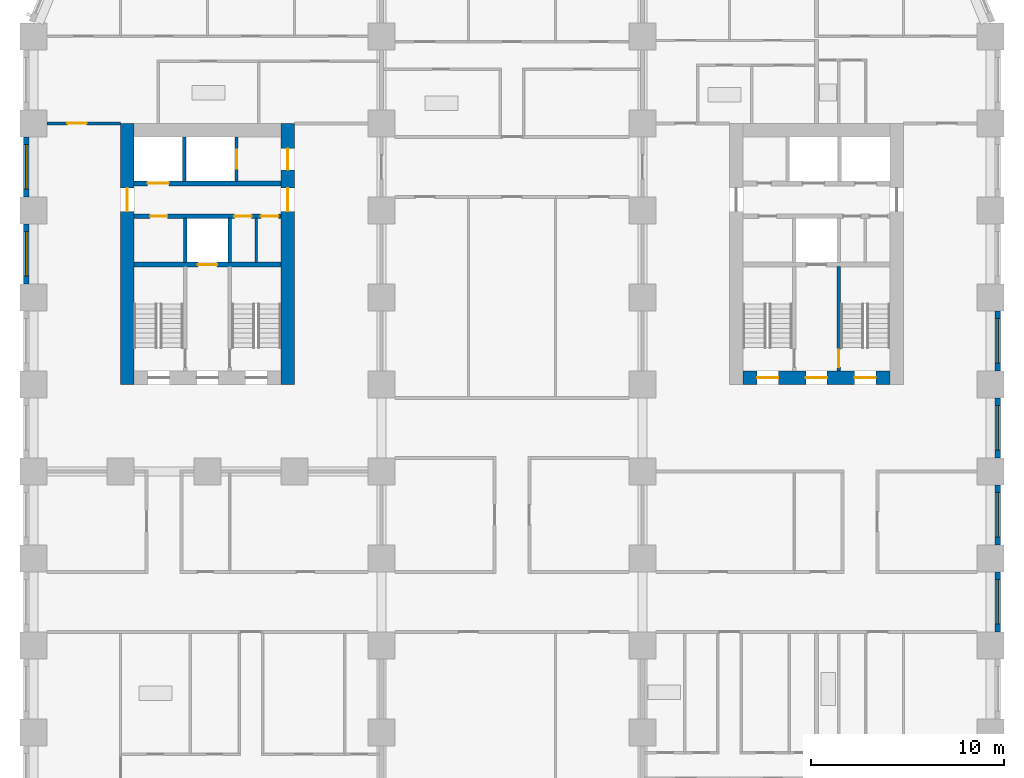
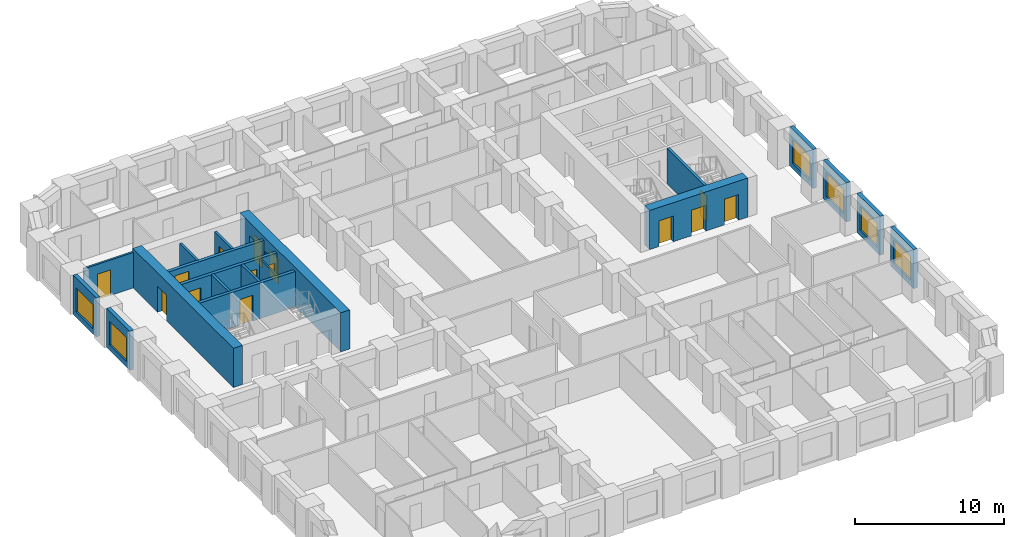
# One storey, part 6 of 13: 19 walls, 14 doors, 6 windows, 20 openings.
"""IFC4 building model written with IfcOpenShell, lengths in metres."""

import ifcopenshell
import ifcopenshell.guid

model = None  # the IFC model being written
_history = None  # IfcOwnerHistory: only IFC2X3 demands one
_inside = {}  # id of a spatial element -> (the spatial element, [elements in it])
_under = {}  # id of a project, library or spatial element -> (it, [spatial elements below it])
_declared = {}  # id of a project -> (the project, [libraries it declares])
_typed = {}  # id of a type object -> (the type object, [elements of that type])
_made_of = {}  # id of a material, layer set ... -> (it, [elements and type objects made of it])


def new_model(schema):
    """Start an empty IFC model of exactly this schema.

    Asked for "IFC4X3", IfcOpenShell would pick the latest addendum, in which some entities
    have other attributes; the version numbers below select the first issue.
    IFC2X3 requires an IfcOwnerHistory on every rooted entity: one is made here for all.
    """
    global model, _history
    if schema == "IFC4X3":
        model = ifcopenshell.file(schema_version=(4, 3, 0, 0))
    else:
        model = ifcopenshell.file(schema=schema)
    _inside.clear()
    _under.clear()
    _declared.clear()
    _typed.clear()
    _made_of.clear()
    _history = None
    if model.schema == "IFC2X3":
        org = make("IfcOrganization", Name="unknown")
        user = make(
            "IfcPersonAndOrganization",
            ThePerson=make("IfcPerson", FamilyName="unknown"),
            TheOrganization=org,
        )
        app = make(
            "IfcApplication",
            ApplicationDeveloper=org,
            Version="unknown",
            ApplicationFullName="unknown",
            ApplicationIdentifier="unknown",
        )
        _history = make(
            "IfcOwnerHistory",
            OwningUser=user,
            OwningApplication=app,
            ChangeAction="ADDED",
            CreationDate=0,
        )
    return model


def make(cls, **values):
    """One entity of the class cls with the attributes given. An attribute that is None is left unset."""
    return model.create_entity(
        cls, **{name: value for name, value in values.items() if value is not None}
    )


def rooted(cls, **values):
    """An entity with a GlobalId (a new one), such as an element, a storey or a relation."""
    return make(cls, GlobalId=ifcopenshell.guid.new(), OwnerHistory=_history, **values)


def si_unit(unit_type, name, prefix=None):
    """IfcSIUnit, for example si_unit("LENGTHUNIT", "METRE", prefix="MILLI")."""
    return make("IfcSIUnit", UnitType=unit_type, Prefix=prefix, Name=name)


def assignment(units):
    """IfcUnitAssignment: the units of a project."""
    return None if units is None else make("IfcUnitAssignment", Units=units)


def point(xyz):
    """IfcCartesianPoint."""
    return None if xyz is None else make("IfcCartesianPoint", Coordinates=xyz)


def direction(xyz):
    """IfcDirection."""
    return None if xyz is None else make("IfcDirection", DirectionRatios=xyz)


def frame(location, z_axis=None, x_axis=None):
    """IfcAxis2Placement3D, a coordinate frame: its origin and axes. An axis left out is left unset."""
    return make(
        "IfcAxis2Placement3D",
        Location=point(location),
        Axis=direction(z_axis),
        RefDirection=direction(x_axis),
    )


def frame_2d(location, x_axis=None):
    """IfcAxis2Placement2D, a coordinate frame in the plane: its origin and x axis."""
    return make(
        "IfcAxis2Placement2D", Location=point(location), RefDirection=direction(x_axis)
    )


def origin():
    """The frame at (0, 0, 0) with its axes left unset."""
    return frame((0.0, 0.0, 0.0))


def place(relative_to, where):
    """IfcLocalPlacement: puts the frame where relative to a parent placement (None: the world)."""
    return make(
        "IfcLocalPlacement", PlacementRelTo=relative_to, RelativePlacement=where
    )


def context(
    kind, dimensions, precision=None, world=None, true_north=None, identifier=None
):
    """IfcGeometricRepresentationContext, for example the 3D "Model" context."""
    return make(
        "IfcGeometricRepresentationContext",
        ContextIdentifier=identifier,
        ContextType=kind,
        CoordinateSpaceDimension=dimensions,
        Precision=precision,
        WorldCoordinateSystem=world,
        TrueNorth=true_north,
    )


def subcontext(parent, identifier, kind, view, scale=None):
    """IfcGeometricRepresentationSubContext, for example "Body" below "Model"."""
    return make(
        "IfcGeometricRepresentationSubContext",
        ContextIdentifier=identifier,
        ContextType=kind,
        ParentContext=parent,
        TargetScale=scale,
        TargetView=view,
    )


def project(units=None, contexts=None):
    """IfcProject with its units and contexts."""
    return rooted(
        "IfcProject",
        Name="project",
        RepresentationContexts=contexts,
        UnitsInContext=assignment(units),
    )


def spatial(cls, under=None, at=None, **own):
    """A site, building, storey or space (cls), placed at a placement, below another one or the project."""
    s = rooted(cls, ObjectPlacement=at, **own)
    if under is not None:
        _under.setdefault(under.id(), (under, []))[1].append(s)
    return s


def profile(cls, at=None, kind="AREA", **sizes):
    """A parametric profile (cls). Its sizes go by their IFC names, for example OverallWidth=200.0."""
    return make(cls, ProfileType=kind, Position=at, **sizes)


def rectangle(**sizes):
    """IfcRectangleProfileDef."""
    return profile("IfcRectangleProfileDef", **sizes)


def extrude(swept, where, along, depth):
    """IfcExtrudedAreaSolid: the profile swept, set in the frame where, extruded along a direction by depth."""
    return make(
        "IfcExtrudedAreaSolid",
        SweptArea=swept,
        Position=where,
        ExtrudedDirection=direction(along),
        Depth=depth,
    )


def shape(context_of_items, identifier, shape_type, items):
    """IfcShapeRepresentation: the items that make up one representation, for example the "Body"."""
    return make(
        "IfcShapeRepresentation",
        ContextOfItems=context_of_items,
        RepresentationIdentifier=identifier,
        RepresentationType=shape_type,
        Items=items,
    )


def material(Name=None, Category=None):
    """IfcMaterial."""
    return make("IfcMaterial", Name=Name, Category=Category)


def layer(
    of_material, thickness, ventilated=None, Name=None, Category=None, Priority=None
):
    """IfcMaterialLayer: one layer of a wall or slab, of a material (None: an air gap)."""
    return make(
        "IfcMaterialLayer",
        Material=of_material,
        LayerThickness=thickness,
        IsVentilated=ventilated,
        Name=Name,
        Category=Category,
        Priority=Priority,
    )


def layer_set(layers, Name=None):
    """IfcMaterialLayerSet."""
    return make("IfcMaterialLayerSet", MaterialLayers=layers, LayerSetName=Name)


def made_of(thing, what):
    """Note that an element or type object is made of a material, layer set ...; save() writes the relation."""
    if what is not None:
        _made_of.setdefault(what.id(), (what, []))[1].append(thing)
    return thing


def type_object(cls, material=None, **own):
    """A type object (cls), such as IfcWallType, which elements share."""
    return made_of(rooted(cls, **own), material)


def element(
    cls,
    number,
    at=None,
    inside=None,
    cuts=None,
    type_object=None,
    material=None,
    context=None,
    identifier="Body",
    shape_type=None,
    held_by="IfcProductDefinitionShape",
    body=None,
    shapes=None,
    **own,
):
    """One element of the class cls, such as IfcWall. Its Tag is "e" and its number.

    at: its placement. inside: the storey or other place that contains it. cuts: it is an
    opening in that element (IfcRelVoidsElement). A single representation is given by context,
    identifier, shape_type and body (its items); several are given by shapes. held_by: the class
    of the entity that holds the representations. save() writes the other relations.
    """
    e = rooted(cls, Tag="e%d" % number, ObjectPlacement=at, **own)
    if body is not None:
        shapes = [shape(context, identifier, shape_type, body)]
    if shapes is not None:
        e.Representation = make(held_by, Representations=shapes)
    if inside is not None:
        _inside.setdefault(inside.id(), (inside, []))[1].append(e)
    if cuts is not None:
        rooted(
            "IfcRelVoidsElement", RelatingBuildingElement=cuts, RelatedOpeningElement=e
        )
    if type_object is not None:
        _typed.setdefault(type_object.id(), (type_object, []))[1].append(e)
    return made_of(e, material)


def fill(opening, filler):
    """IfcRelFillsElement: the door or window that sits in an opening."""
    return rooted(
        "IfcRelFillsElement",
        RelatingOpeningElement=opening,
        RelatedBuildingElement=filler,
    )


def aggregate(whole, parts):
    """IfcRelAggregates: a whole, such as a stair, and the parts it consists of."""
    return rooted("IfcRelAggregates", RelatingObject=whole, RelatedObjects=parts)


def save(model, path):
    """Write the relations noted so far, then the file.

    IfcRelAggregates (storeys below a building ...), IfcRelContainedInSpatialStructure (elements
    in a storey), IfcRelDefinesByType, IfcRelAssociatesMaterial and IfcRelDeclares: one each for
    every whole, place, type object, material and project.
    """
    for whole, parts in _under.values():
        aggregate(whole, parts)
    for where, things in _inside.values():
        rooted(
            "IfcRelContainedInSpatialStructure",
            RelatedElements=things,
            RelatingStructure=where,
        )
    for kind, things in _typed.values():
        rooted("IfcRelDefinesByType", RelatedObjects=things, RelatingType=kind)
    for what, things in _made_of.values():
        rooted("IfcRelAssociatesMaterial", RelatedObjects=things, RelatingMaterial=what)
    for by, libraries in _declared.values():
        rooted("IfcRelDeclares", RelatingContext=by, RelatedDefinitions=libraries)
    model.write(path)


model = new_model("IFC4")

# Units and contexts
model_context = context("Model", 3, precision=1e-05, world=origin(), true_north=direction((0.0, 1.0)))
body_context = subcontext(model_context, "Body", "Model", "MODEL_VIEW")
ifc_project = project(units=[si_unit("LENGTHUNIT", "METRE"), si_unit("AREAUNIT", "SQUARE_METRE"), si_unit("VOLUMEUNIT", "CUBIC_METRE"), si_unit("PLANEANGLEUNIT", "RADIAN"), si_unit("MASSUNIT", "GRAM", prefix="KILO")], contexts=[model_context])

# Site, building, storey
site_placement = place(None, origin())
site = spatial("IfcSite", under=ifc_project, at=site_placement, CompositionType="ELEMENT")
building_placement = place(site_placement, origin())
building = spatial("IfcBuilding", under=site, at=building_placement, Name="Girih Gate Residences", CompositionType="ELEMENT")
storey_placement = place(building_placement, frame((0.0, 0.0, 52.800048828125)))
storey = spatial("IfcBuildingStorey", under=building, at=storey_placement, Name="L13", CompositionType="ELEMENT", Elevation=52.800048828125)

# Wall, opening, door
ifc_material_1 = material(Name="Gypsum board on steel studs", Category="steel")
ifc_layer_1 = layer(ifc_material_1, 0.14990234375)
ifc_layer_set_1 = layer_set([ifc_layer_1], Name="Compartment wall 150 mm")
wall_type_1 = type_object("IfcWallType", Name="Compartment wall 150 mm", PredefinedType="PARTITIONING", material=ifc_layer_set_1)
wall_1_placement = place(storey_placement, frame((0.699951171875, 40.5, 0.0), z_axis=(0.0, 0.0, 1.0), x_axis=(1.0, 0.0, 0.0)))
wall_1 = element("IfcWall", 1, at=wall_1_placement, inside=storey, type_object=wall_type_1, Name="L13 partition", PredefinedType="PARTITIONING", context=body_context, shape_type="SweptSolid", body=[
    extrude(rectangle(XDim=3.800048828125, YDim=0.14990234375, at=frame_2d((1.89990234375, 0.0))), origin(), (0.0, 0.0, 1.0), 2.89990234375),
])
opening_1_placement = place(wall_1_placement, frame((1.050048828125, 0.0, 0.0)))
opening_1 = element("IfcOpeningElement", 2, at=opening_1_placement, cuts=wall_1, Name="Opening A13-016", PredefinedType="OPENING", context=body_context, shape_type="SweptSolid", body=[
    extrude(rectangle(XDim=1.0, YDim=2.10009765625, at=frame_2d((0.5, 1.050048828125))), frame((0.0, 0.0849609375, 0.0), z_axis=(0.0, -1.0, 0.0), x_axis=(1.0, 0.0, 0.0)), (0.0, 0.0, 1.0), 0.169921875),
])
ifc_material_2 = material(Name="Timber, fire-rated core", Category="wood")
door_type_1 = type_object("IfcDoorType", Name="Flat entrance door 1000x2100 FD30S", OperationType="NOTDEFINED", PredefinedType="DOOR", material=ifc_material_2)
door_1_placement = place(opening_1_placement, origin())
door_1 = element("IfcDoor", 3, at=door_1_placement, inside=storey, type_object=door_type_1, Name="Door A13-016", OperationType="SINGLE_SWING_LEFT", OverallHeight=2.10009765625, OverallWidth=1.0, PredefinedType="DOOR", context=body_context, shape_type="SweptSolid", body=[
    extrude(rectangle(XDim=1.0, YDim=2.10009765625, at=frame_2d((0.5, 1.050048828125))), frame((0.0, 0.02490234375, 0.0), z_axis=(0.0, -1.0, 0.0), x_axis=(1.0, 0.0, 0.0)), (0.0, 0.0, 1.0), 0.050048828125),
])
fill(opening_1, door_1)

ifc_material_3 = material(Name="Concrete C60/75", Category="concrete")
ifc_layer_2 = layer(ifc_material_3, 0.699951171875)
ifc_layer_set_2 = layer_set([ifc_layer_2], Name="Core wall RC 700 Concrete C60/75")
wall_type_2 = type_object("IfcWallType", Name="Core wall RC 700 Concrete C60/75", PredefinedType="SOLIDWALL", material=ifc_layer_set_2)
wall_2_placement = place(storey_placement, frame((4.85009765625, 27.0, 0.0), z_axis=(0.0, 0.0, 1.0), x_axis=(0.0, 1.0, 0.0)))
wall_2 = element("IfcWall", 4, at=wall_2_placement, inside=storey, type_object=wall_type_2, Name="Core wall W-W L13", PredefinedType="SOLIDWALL", context=body_context, shape_type="SweptSolid", body=[
    extrude(rectangle(XDim=13.5, YDim=0.699951171875, at=frame_2d((6.75, 0.0))), origin(), (0.0, 0.0, 1.0), 3.199951171875),
])
opening_2_placement = place(wall_2_placement, frame((8.949951171875, 0.0, 0.0)))
opening_2 = element("IfcOpeningElement", 5, at=opening_2_placement, cuts=wall_2, Name="Opening D-L13-W-013", PredefinedType="OPENING", context=body_context, shape_type="SweptSolid", body=[
    extrude(rectangle(XDim=1.199951171875, YDim=2.10009765625, at=frame_2d((0.60009765625, 1.050048828125))), frame((0.0, 0.35986328125, 0.0), z_axis=(0.0, -1.0, 0.0), x_axis=(1.0, 0.0, 0.0)), (0.0, 0.0, 1.0), 0.719970703125),
])
ifc_material_4 = material(Name="Painted steel, fire-resisting", Category="steel")
door_type_2 = type_object("IfcDoorType", Name="Fire door 1200x2100", OperationType="SINGLE_SWING_LEFT", PredefinedType="DOOR", material=ifc_material_4)
door_2_placement = place(opening_2_placement, origin())
door_2 = element("IfcDoor", 6, at=door_2_placement, inside=storey, type_object=door_type_2, Name="L13 W core door ll-w", OperationType="SINGLE_SWING_LEFT", OverallHeight=2.10009765625, OverallWidth=1.199951171875, PredefinedType="DOOR", context=body_context, shape_type="SweptSolid", body=[
    extrude(rectangle(XDim=1.199951171875, YDim=2.10009765625, at=frame_2d((0.60009765625, 1.050048828125))), frame((0.0, 0.02490234375, 0.0), z_axis=(0.0, -1.0, 0.0), x_axis=(1.0, 0.0, 0.0)), (0.0, 0.0, 1.0), 0.050048828125),
])
fill(opening_2, door_2)

# Wall, openings, doors
wall_3_placement = place(storey_placement, frame((13.14990234375, 27.0, 0.0), z_axis=(0.0, 0.0, 1.0), x_axis=(0.0, 1.0, 0.0)))
wall_3 = element("IfcWall", 7, at=wall_3_placement, inside=storey, type_object=wall_type_2, Name="Core wall W-E L13", PredefinedType="SOLIDWALL", context=body_context, shape_type="SweptSolid", body=[
    extrude(rectangle(XDim=13.5, YDim=0.699951171875, at=frame_2d((6.75, 0.0))), origin(), (0.0, 0.0, 1.0), 3.199951171875),
])
opening_3_placement = place(wall_3_placement, frame((11.10009765625, 0.0, 0.0)))
opening_3 = element("IfcOpeningElement", 8, at=opening_3_placement, cuts=wall_3, Name="Opening D-L13-W-012", PredefinedType="OPENING", context=body_context, shape_type="SweptSolid", body=[
    extrude(rectangle(XDim=1.10009765625, YDim=2.10009765625, at=frame_2d((0.550048828125, 1.050048828125))), frame((0.0, 0.35986328125, 0.0), z_axis=(0.0, -1.0, 0.0), x_axis=(1.0, 0.0, 0.0)), (0.0, 0.0, 1.0), 0.719970703125),
])
opening_4_placement = place(wall_3_placement, frame((8.949951171875, 0.0, 0.0)))
opening_4 = element("IfcOpeningElement", 9, at=opening_4_placement, cuts=wall_3, Name="Opening D-L13-W-014", PredefinedType="OPENING", context=body_context, shape_type="SweptSolid", body=[
    extrude(rectangle(XDim=1.199951171875, YDim=2.10009765625, at=frame_2d((0.60009765625, 1.050048828125))), frame((0.0, 0.35986328125, 0.0), z_axis=(0.0, -1.0, 0.0), x_axis=(1.0, 0.0, 0.0)), (0.0, 0.0, 1.0), 0.719970703125),
])
door_type_3 = type_object("IfcDoorType", Name="Fire door 1100x2100", OperationType="SINGLE_SWING_LEFT", PredefinedType="DOOR", material=ifc_material_4)
door_3_placement = place(opening_3_placement, origin())
door_3 = element("IfcDoor", 10, at=door_3_placement, inside=storey, type_object=door_type_3, Name="L13 W core door ffl2-e", OperationType="SINGLE_SWING_LEFT", OverallHeight=2.10009765625, OverallWidth=1.10009765625, PredefinedType="DOOR", context=body_context, shape_type="SweptSolid", body=[
    extrude(rectangle(XDim=1.10009765625, YDim=2.10009765625, at=frame_2d((0.550048828125, 1.050048828125))), frame((0.0, 0.02490234375, 0.0), z_axis=(0.0, -1.0, 0.0), x_axis=(1.0, 0.0, 0.0)), (0.0, 0.0, 1.0), 0.050048828125),
])
fill(opening_3, door_3)
door_4_placement = place(opening_4_placement, origin())
door_4 = element("IfcDoor", 11, at=door_4_placement, inside=storey, type_object=door_type_2, Name="L13 W core door ll-e", OperationType="SINGLE_SWING_LEFT", OverallHeight=2.10009765625, OverallWidth=1.199951171875, PredefinedType="DOOR", context=body_context, shape_type="SweptSolid", body=[
    extrude(rectangle(XDim=1.199951171875, YDim=2.10009765625, at=frame_2d((0.60009765625, 1.050048828125))), frame((0.0, 0.02490234375, 0.0), z_axis=(0.0, -1.0, 0.0), x_axis=(1.0, 0.0, 0.0)), (0.0, 0.0, 1.0), 0.050048828125),
])
fill(opening_4, door_4)

wall_4_placement = place(storey_placement, frame((36.699951171875, 27.35009765625, 0.0), z_axis=(0.0, 0.0, 1.0), x_axis=(1.0, 0.0, 0.0)))
wall_4 = element("IfcWall", 12, at=wall_4_placement, inside=storey, type_object=wall_type_2, Name="Core wall E-S L13", PredefinedType="SOLIDWALL", context=body_context, shape_type="SweptSolid", body=[
    extrude(rectangle(XDim=7.60009765625, YDim=0.699951171875, at=frame_2d((3.800048828125, 0.0))), origin(), (0.0, 0.0, 1.0), 3.199951171875),
])
opening_5_placement = place(wall_4_placement, frame((5.77490234375, 0.0, 0.0)))
opening_5 = element("IfcOpeningElement", 13, at=opening_5_placement, cuts=wall_4, Name="Opening D-L13-E-010", PredefinedType="OPENING", context=body_context, shape_type="SweptSolid", body=[
    extrude(rectangle(XDim=1.10009765625, YDim=2.10009765625, at=frame_2d((0.550048828125, 1.050048828125))), frame((0.0, 0.35986328125, 0.0), z_axis=(0.0, -1.0, 0.0), x_axis=(1.0, 0.0, 0.0)), (0.0, 0.0, 1.0), 0.719970703125),
])
opening_6_placement = place(wall_4_placement, frame((3.25, 0.0, 0.0)))
opening_6 = element("IfcOpeningElement", 14, at=opening_6_placement, cuts=wall_4, Name="Opening D-L13-E-011", PredefinedType="OPENING", context=body_context, shape_type="SweptSolid", body=[
    extrude(rectangle(XDim=1.10009765625, YDim=2.10009765625, at=frame_2d((0.550048828125, 1.050048828125))), frame((0.0, 0.35986328125, 0.0), z_axis=(0.0, -1.0, 0.0), x_axis=(1.0, 0.0, 0.0)), (0.0, 0.0, 1.0), 0.719970703125),
])
opening_7_placement = place(wall_4_placement, frame((0.72509765625, 0.0, 0.0)))
opening_7 = element("IfcOpeningElement", 15, at=opening_7_placement, cuts=wall_4, Name="Opening D-L13-E-012", PredefinedType="OPENING", context=body_context, shape_type="SweptSolid", body=[
    extrude(rectangle(XDim=1.10009765625, YDim=2.10009765625, at=frame_2d((0.550048828125, 1.050048828125))), frame((0.0, 0.35986328125, 0.0), z_axis=(0.0, -1.0, 0.0), x_axis=(1.0, 0.0, 0.0)), (0.0, 0.0, 1.0), 0.719970703125),
])
door_5_placement = place(opening_5_placement, origin())
door_5 = element("IfcDoor", 16, at=door_5_placement, inside=storey, type_object=door_type_3, Name="L13 E core door sta-out", OperationType="SINGLE_SWING_LEFT", OverallHeight=2.10009765625, OverallWidth=1.10009765625, PredefinedType="DOOR", context=body_context, shape_type="SweptSolid", body=[
    extrude(rectangle(XDim=1.10009765625, YDim=2.10009765625, at=frame_2d((0.550048828125, 1.050048828125))), frame((0.0, 0.02490234375, 0.0), z_axis=(0.0, -1.0, 0.0), x_axis=(1.0, 0.0, 0.0)), (0.0, 0.0, 1.0), 0.050048828125),
])
fill(opening_5, door_5)
door_6_placement = place(opening_6_placement, origin())
door_6 = element("IfcDoor", 17, at=door_6_placement, inside=storey, type_object=door_type_3, Name="L13 E core door ffl-out", OperationType="SINGLE_SWING_LEFT", OverallHeight=2.10009765625, OverallWidth=1.10009765625, PredefinedType="DOOR", context=body_context, shape_type="SweptSolid", body=[
    extrude(rectangle(XDim=1.10009765625, YDim=2.10009765625, at=frame_2d((0.550048828125, 1.050048828125))), frame((0.0, 0.02490234375, 0.0), z_axis=(0.0, -1.0, 0.0), x_axis=(1.0, 0.0, 0.0)), (0.0, 0.0, 1.0), 0.050048828125),
])
fill(opening_6, door_6)
door_7_placement = place(opening_7_placement, origin())
door_7 = element("IfcDoor", 18, at=door_7_placement, inside=storey, type_object=door_type_3, Name="L13 E core door stb-out", OperationType="SINGLE_SWING_LEFT", OverallHeight=2.10009765625, OverallWidth=1.10009765625, PredefinedType="DOOR", context=body_context, shape_type="SweptSolid", body=[
    extrude(rectangle(XDim=1.10009765625, YDim=2.10009765625, at=frame_2d((0.550048828125, 1.050048828125))), frame((0.0, 0.02490234375, 0.0), z_axis=(0.0, -1.0, 0.0), x_axis=(1.0, 0.0, 0.0)), (0.0, 0.0, 1.0), 0.050048828125),
])
fill(opening_7, door_7)

# Wall, opening, door
ifc_material_5 = material(Name="Concrete C40/50", Category="concrete")
ifc_layer_3 = layer(ifc_material_5, 0.25)
ifc_layer_set_3 = layer_set([ifc_layer_3], Name="Lift shaft wall 250")
wall_type_3 = type_object("IfcWallType", Name="Lift shaft wall 250", PredefinedType="SOLIDWALL", material=ifc_layer_set_3)
wall_5_placement = place(storey_placement, frame((5.199951171875, 33.199951171875, 0.0), z_axis=(0.0, 0.0, 1.0), x_axis=(1.0, 0.0, 0.0)))
wall_5 = element("IfcWall", 19, at=wall_5_placement, inside=storey, type_object=wall_type_3, Name="L13 W core wall H1", PredefinedType="SOLIDWALL", context=body_context, shape_type="SweptSolid", body=[
    extrude(rectangle(XDim=7.60009765625, YDim=0.25, at=frame_2d((3.800048828125, 0.0))), origin(), (0.0, 0.0, 1.0), 2.89990234375),
])
opening_8_placement = place(wall_5_placement, frame((3.300048828125, 0.0, 0.0)))
opening_8 = element("IfcOpeningElement", 20, at=opening_8_placement, cuts=wall_5, Name="Opening D-L13-W-005", PredefinedType="OPENING", context=body_context, shape_type="SweptSolid", body=[
    extrude(rectangle(XDim=1.0, YDim=2.10009765625, at=frame_2d((0.5, 1.050048828125))), frame((0.0, 0.135009765625, 0.0), z_axis=(0.0, -1.0, 0.0), x_axis=(1.0, 0.0, 0.0)), (0.0, 0.0, 1.0), 0.27001953125),
])
ifc_material_6 = material(Name="Stainless steel, fire-resisting", Category="steel")
door_type_4 = type_object("IfcDoorType", Name="Firefighting lift landing door 1000x2100", OperationType="SLIDING_TO_LEFT", PredefinedType="DOOR", material=ifc_material_6)
door_8_placement = place(opening_8_placement, origin())
door_8 = element("IfcDoor", 21, at=door_8_placement, inside=storey, type_object=door_type_4, Name="L13 lift FF-W landing door", OperationType="SLIDING_TO_LEFT", OverallHeight=2.10009765625, OverallWidth=1.0, PredefinedType="DOOR", context=body_context, shape_type="SweptSolid", body=[
    extrude(rectangle(XDim=1.0, YDim=2.10009765625, at=frame_2d((0.5, 1.050048828125))), frame((0.0, 0.02490234375, 0.0), z_axis=(0.0, -1.0, 0.0), x_axis=(1.0, 0.0, 0.0)), (0.0, 0.0, 1.0), 0.050048828125),
])
fill(opening_8, door_8)

# Wall, openings, doors
wall_6_placement = place(storey_placement, frame((5.199951171875, 35.699951171875, 0.0), z_axis=(0.0, 0.0, 1.0), x_axis=(1.0, 0.0, 0.0)))
wall_6 = element("IfcWall", 22, at=wall_6_placement, inside=storey, type_object=wall_type_3, Name="L13 W core wall H2", PredefinedType="SOLIDWALL", context=body_context, shape_type="SweptSolid", body=[
    extrude(rectangle(XDim=7.60009765625, YDim=0.25, at=frame_2d((3.800048828125, 0.0))), origin(), (0.0, 0.0, 1.0), 2.89990234375),
])
opening_9_placement = place(wall_6_placement, frame((0.824951171875, 0.0, 0.0)))
opening_9 = element("IfcOpeningElement", 23, at=opening_9_placement, cuts=wall_6, Name="Opening D-L13-W-006", PredefinedType="OPENING", context=body_context, shape_type="SweptSolid", body=[
    extrude(rectangle(XDim=0.89990234375, YDim=2.10009765625, at=frame_2d((0.449951171875, 1.050048828125))), frame((0.0, 0.135009765625, 0.0), z_axis=(0.0, -1.0, 0.0), x_axis=(1.0, 0.0, 0.0)), (0.0, 0.0, 1.0), 0.27001953125),
])
opening_10_placement = place(wall_6_placement, frame((5.1875, 0.0, 0.0)))
opening_10 = element("IfcOpeningElement", 24, at=opening_10_placement, cuts=wall_6, Name="Opening D-L13-W-007", PredefinedType="OPENING", context=body_context, shape_type="SweptSolid", body=[
    extrude(rectangle(XDim=0.89990234375, YDim=2.10009765625, at=frame_2d((0.449951171875, 1.050048828125))), frame((0.0, 0.135009765625, 0.0), z_axis=(0.0, -1.0, 0.0), x_axis=(1.0, 0.0, 0.0)), (0.0, 0.0, 1.0), 0.27001953125),
])
opening_11_placement = place(wall_6_placement, frame((6.5625, 0.0, 0.0)))
opening_11 = element("IfcOpeningElement", 25, at=opening_11_placement, cuts=wall_6, Name="Opening D-L13-W-008", PredefinedType="OPENING", context=body_context, shape_type="SweptSolid", body=[
    extrude(rectangle(XDim=0.89990234375, YDim=2.10009765625, at=frame_2d((0.449951171875, 1.050048828125))), frame((0.0, 0.135009765625, 0.0), z_axis=(0.0, -1.0, 0.0), x_axis=(1.0, 0.0, 0.0)), (0.0, 0.0, 1.0), 0.27001953125),
])
door_type_5 = type_object("IfcDoorType", Name="Fire door 900x2100", OperationType="SINGLE_SWING_LEFT", PredefinedType="DOOR", material=ifc_material_4)
door_9_placement = place(opening_9_placement, origin())
door_9 = element("IfcDoor", 26, at=door_9_placement, inside=storey, type_object=door_type_5, Name="L13 W electrical room door", OperationType="SINGLE_SWING_LEFT", OverallHeight=2.10009765625, OverallWidth=0.89990234375, PredefinedType="DOOR", context=body_context, shape_type="SweptSolid", body=[
    extrude(rectangle(XDim=0.89990234375, YDim=2.10009765625, at=frame_2d((0.449951171875, 1.050048828125))), frame((0.0, 0.02490234375, 0.0), z_axis=(0.0, -1.0, 0.0), x_axis=(1.0, 0.0, 0.0)), (0.0, 0.0, 1.0), 0.050048828125),
])
fill(opening_9, door_9)
door_10_placement = place(opening_10_placement, origin())
door_10 = element("IfcDoor", 27, at=door_10_placement, inside=storey, type_object=door_type_5, Name="L13 W store door", OperationType="SINGLE_SWING_LEFT", OverallHeight=2.10009765625, OverallWidth=0.89990234375, PredefinedType="DOOR", context=body_context, shape_type="SweptSolid", body=[
    extrude(rectangle(XDim=0.89990234375, YDim=2.10009765625, at=frame_2d((0.449951171875, 1.050048828125))), frame((0.0, 0.02490234375, 0.0), z_axis=(0.0, -1.0, 0.0), x_axis=(1.0, 0.0, 0.0)), (0.0, 0.0, 1.0), 0.050048828125),
])
fill(opening_10, door_10)
door_11_placement = place(opening_11_placement, origin())
door_11 = element("IfcDoor", 28, at=door_11_placement, inside=storey, type_object=door_type_5, Name="L13 W comms room door", OperationType="SINGLE_SWING_LEFT", OverallHeight=2.10009765625, OverallWidth=0.89990234375, PredefinedType="DOOR", context=body_context, shape_type="SweptSolid", body=[
    extrude(rectangle(XDim=0.89990234375, YDim=2.10009765625, at=frame_2d((0.449951171875, 1.050048828125))), frame((0.0, 0.02490234375, 0.0), z_axis=(0.0, -1.0, 0.0), x_axis=(1.0, 0.0, 0.0)), (0.0, 0.0, 1.0), 0.050048828125),
])
fill(opening_11, door_11)

# Wall, opening, door
wall_7_placement = place(storey_placement, frame((5.199951171875, 37.39990234375, 0.0), z_axis=(0.0, 0.0, 1.0), x_axis=(1.0, 0.0, 0.0)))
wall_7 = element("IfcWall", 29, at=wall_7_placement, inside=storey, type_object=wall_type_3, Name="L13 W core wall H3", PredefinedType="SOLIDWALL", context=body_context, shape_type="SweptSolid", body=[
    extrude(rectangle(XDim=7.60009765625, YDim=0.25, at=frame_2d((3.800048828125, 0.0))), origin(), (0.0, 0.0, 1.0), 2.89990234375),
])
opening_12_placement = place(wall_7_placement, frame((0.699951171875, 0.0, 0.0)))
opening_12 = element("IfcOpeningElement", 30, at=opening_12_placement, cuts=wall_7, Name="Opening D-L13-W-003", PredefinedType="OPENING", context=body_context, shape_type="SweptSolid", body=[
    extrude(rectangle(XDim=1.10009765625, YDim=2.39990234375, at=frame_2d((0.550048828125, 1.199951171875))), frame((0.0, 0.135009765625, 0.0), z_axis=(0.0, -1.0, 0.0), x_axis=(1.0, 0.0, 0.0)), (0.0, 0.0, 1.0), 0.27001953125),
])
ifc_material_7 = material(Name="Stainless steel", Category="steel")
door_type_6 = type_object("IfcDoorType", Name="Lift landing door 1100x2400", OperationType="SLIDING_TO_LEFT", PredefinedType="DOOR", material=ifc_material_7)
door_12_placement = place(opening_12_placement, origin())
door_12 = element("IfcDoor", 31, at=door_12_placement, inside=storey, type_object=door_type_6, Name="L13 lift LR-W1 landing door", OperationType="SLIDING_TO_LEFT", OverallHeight=2.39990234375, OverallWidth=1.10009765625, PredefinedType="DOOR", context=body_context, shape_type="SweptSolid", body=[
    extrude(rectangle(XDim=1.10009765625, YDim=2.39990234375, at=frame_2d((0.550048828125, 1.199951171875))), frame((0.0, 0.02490234375, 0.0), z_axis=(0.0, -1.0, 0.0), x_axis=(1.0, 0.0, 0.0)), (0.0, 0.0, 1.0), 0.050048828125),
])
fill(opening_12, door_12)

# Wall, opening, window
ifc_material_8 = material(Name="Precast concrete C50/60", Category="concrete")
ifc_layer_4 = layer(ifc_material_8, 0.080078125, Name="Outer leaf")
ifc_material_9 = material(Name="Rigid PIR insulation")
ifc_layer_5 = layer(ifc_material_9, 0.14990234375, Name="Insulation")
ifc_material_10 = material(Name="Precast concrete C40/50", Category="concrete")
ifc_layer_6 = layer(ifc_material_10, 0.070068359375, Name="Inner leaf")
ifc_layer_set_4 = layer_set([ifc_layer_4, ifc_layer_5, ifc_layer_6], Name="Precast concrete C50/60 external wall 300")
wall_type_4 = type_object("IfcWallType", Name="Precast concrete C50/60 external wall 300", PredefinedType="SOLIDWALL", material=ifc_layer_set_4)
wall_8_placement = place(storey_placement, frame((49.875, 17.300048828125, 0.0), z_axis=(0.0, 0.0, 1.0), x_axis=(0.0, -1.0, 0.0)))
wall_8 = element("IfcWall", 32, at=wall_8_placement, inside=storey, type_object=wall_type_4, Name="External wall E0495_0045.2", PredefinedType="SOLIDWALL", context=body_context, shape_type="SweptSolid", body=[
    extrude(rectangle(XDim=3.10009765625, YDim=0.300048828125, at=frame_2d((1.550048828125, 0.0))), origin(), (0.0, 0.0, 1.0), 3.199951171875),
])
opening_13_placement = place(wall_8_placement, frame((0.39990234375, 0.0, 0.449951171875)))
opening_13 = element("IfcOpeningElement", 33, at=opening_13_placement, cuts=wall_8, Name="Opening W-1", PredefinedType="OPENING", context=body_context, shape_type="SweptSolid", body=[
    extrude(rectangle(XDim=2.300048828125, YDim=1.949951171875, at=frame_2d((1.14990234375, 0.97509765625))), frame((0.0, 0.159912109375, 0.0), z_axis=(0.0, -1.0, 0.0), x_axis=(1.0, 0.0, 0.0)), (0.0, 0.0, 1.0), 0.320068359375),
])
ifc_material_11 = material(Name="Double glazing in aluminium frame", Category="aluminium")
window_type = type_object("IfcWindowType", Name="Window W-1 2300x1950", PartitioningType="SINGLE_PANEL", PredefinedType="WINDOW", material=ifc_material_11)
window_1_placement = place(opening_13_placement, origin())
window_1 = element("IfcWindow", 34, at=window_1_placement, inside=storey, type_object=window_type, Name="Window W-1 E0495_0045.2", OverallHeight=1.949951171875, OverallWidth=2.300048828125, PartitioningType="SINGLE_PANEL", PredefinedType="WINDOW", context=body_context, shape_type="SweptSolid", body=[
    extrude(rectangle(XDim=2.300048828125, YDim=1.949951171875, at=frame_2d((1.14990234375, 0.97509765625))), frame((0.0, 0.030029296875, 0.0), z_axis=(0.0, -1.0, 0.0), x_axis=(1.0, 0.0, 0.0)), (0.0, 0.0, 1.0), 0.06005859375),
])
fill(opening_13, window_1)

wall_9_placement = place(storey_placement, frame((49.875, 21.800048828125, 0.0), z_axis=(0.0, 0.0, 1.0), x_axis=(0.0, -1.0, 0.0)))
wall_9 = element("IfcWall", 35, at=wall_9_placement, inside=storey, type_object=wall_type_4, Name="External wall E0495_0045.3", PredefinedType="SOLIDWALL", context=body_context, shape_type="SweptSolid", body=[
    extrude(rectangle(XDim=3.10009765625, YDim=0.300048828125, at=frame_2d((1.550048828125, 0.0))), origin(), (0.0, 0.0, 1.0), 3.199951171875),
])
opening_14_placement = place(wall_9_placement, frame((0.39990234375, 0.0, 0.449951171875)))
opening_14 = element("IfcOpeningElement", 36, at=opening_14_placement, cuts=wall_9, Name="Opening W-1", PredefinedType="OPENING", context=body_context, shape_type="SweptSolid", body=[
    extrude(rectangle(XDim=2.300048828125, YDim=1.949951171875, at=frame_2d((1.14990234375, 0.97509765625))), frame((0.0, 0.159912109375, 0.0), z_axis=(0.0, -1.0, 0.0), x_axis=(1.0, 0.0, 0.0)), (0.0, 0.0, 1.0), 0.320068359375),
])
window_2_placement = place(opening_14_placement, origin())
window_2 = element("IfcWindow", 37, at=window_2_placement, inside=storey, type_object=window_type, Name="Window W-1 E0495_0045.3", OverallHeight=1.949951171875, OverallWidth=2.300048828125, PartitioningType="SINGLE_PANEL", PredefinedType="WINDOW", context=body_context, shape_type="SweptSolid", body=[
    extrude(rectangle(XDim=2.300048828125, YDim=1.949951171875, at=frame_2d((1.14990234375, 0.97509765625))), frame((0.0, 0.030029296875, 0.0), z_axis=(0.0, -1.0, 0.0), x_axis=(1.0, 0.0, 0.0)), (0.0, 0.0, 1.0), 0.06005859375),
])
fill(opening_14, window_2)

wall_10_placement = place(storey_placement, frame((49.875, 26.300048828125, 0.0), z_axis=(0.0, 0.0, 1.0), x_axis=(0.0, -1.0, 0.0)))
wall_10 = element("IfcWall", 38, at=wall_10_placement, inside=storey, type_object=wall_type_4, Name="External wall E0495_0045.4", PredefinedType="SOLIDWALL", context=body_context, shape_type="SweptSolid", body=[
    extrude(rectangle(XDim=3.10009765625, YDim=0.300048828125, at=frame_2d((1.550048828125, 0.0))), origin(), (0.0, 0.0, 1.0), 3.199951171875),
])
opening_15_placement = place(wall_10_placement, frame((0.39990234375, 0.0, 0.449951171875)))
opening_15 = element("IfcOpeningElement", 39, at=opening_15_placement, cuts=wall_10, Name="Opening W-1", PredefinedType="OPENING", context=body_context, shape_type="SweptSolid", body=[
    extrude(rectangle(XDim=2.300048828125, YDim=1.949951171875, at=frame_2d((1.14990234375, 0.97509765625))), frame((0.0, 0.159912109375, 0.0), z_axis=(0.0, -1.0, 0.0), x_axis=(1.0, 0.0, 0.0)), (0.0, 0.0, 1.0), 0.320068359375),
])
window_3_placement = place(opening_15_placement, origin())
window_3 = element("IfcWindow", 40, at=window_3_placement, inside=storey, type_object=window_type, Name="Window W-1 E0495_0045.4", OverallHeight=1.949951171875, OverallWidth=2.300048828125, PartitioningType="SINGLE_PANEL", PredefinedType="WINDOW", context=body_context, shape_type="SweptSolid", body=[
    extrude(rectangle(XDim=2.300048828125, YDim=1.949951171875, at=frame_2d((1.14990234375, 0.97509765625))), frame((0.0, 0.030029296875, 0.0), z_axis=(0.0, -1.0, 0.0), x_axis=(1.0, 0.0, 0.0)), (0.0, 0.0, 1.0), 0.06005859375),
])
fill(opening_15, window_3)

wall_11_placement = place(storey_placement, frame((49.875, 30.800048828125, 0.0), z_axis=(0.0, 0.0, 1.0), x_axis=(0.0, -1.0, 0.0)))
wall_11 = element("IfcWall", 41, at=wall_11_placement, inside=storey, type_object=wall_type_4, Name="External wall E0495_0045.5", PredefinedType="SOLIDWALL", context=body_context, shape_type="SweptSolid", body=[
    extrude(rectangle(XDim=3.10009765625, YDim=0.300048828125, at=frame_2d((1.550048828125, 0.0))), origin(), (0.0, 0.0, 1.0), 3.199951171875),
])
opening_16_placement = place(wall_11_placement, frame((0.39990234375, 0.0, 0.449951171875)))
opening_16 = element("IfcOpeningElement", 42, at=opening_16_placement, cuts=wall_11, Name="Opening W-1", PredefinedType="OPENING", context=body_context, shape_type="SweptSolid", body=[
    extrude(rectangle(XDim=2.300048828125, YDim=1.949951171875, at=frame_2d((1.14990234375, 0.97509765625))), frame((0.0, 0.159912109375, 0.0), z_axis=(0.0, -1.0, 0.0), x_axis=(1.0, 0.0, 0.0)), (0.0, 0.0, 1.0), 0.320068359375),
])
window_4_placement = place(opening_16_placement, origin())
window_4 = element("IfcWindow", 43, at=window_4_placement, inside=storey, type_object=window_type, Name="Window W-1 E0495_0045.5", OverallHeight=1.949951171875, OverallWidth=2.300048828125, PartitioningType="SINGLE_PANEL", PredefinedType="WINDOW", context=body_context, shape_type="SweptSolid", body=[
    extrude(rectangle(XDim=2.300048828125, YDim=1.949951171875, at=frame_2d((1.14990234375, 0.97509765625))), frame((0.0, 0.030029296875, 0.0), z_axis=(0.0, -1.0, 0.0), x_axis=(1.0, 0.0, 0.0)), (0.0, 0.0, 1.0), 0.06005859375),
])
fill(opening_16, window_4)

wall_12_placement = place(storey_placement, frame((-0.375, 36.699951171875, 0.0), z_axis=(0.0, 0.0, 1.0), x_axis=(0.0, 1.0, 0.0)))
wall_12 = element("IfcWall", 44, at=wall_12_placement, inside=storey, type_object=wall_type_4, Name="External wall W0000_0450.1", PredefinedType="SOLIDWALL", context=body_context, shape_type="SweptSolid", body=[
    extrude(rectangle(XDim=3.10009765625, YDim=0.300048828125, at=frame_2d((1.550048828125, 0.0))), origin(), (0.0, 0.0, 1.0), 3.199951171875),
])
opening_17_placement = place(wall_12_placement, frame((0.39990234375, 0.0, 0.449951171875)))
opening_17 = element("IfcOpeningElement", 45, at=opening_17_placement, cuts=wall_12, Name="Opening W-1", PredefinedType="OPENING", context=body_context, shape_type="SweptSolid", body=[
    extrude(rectangle(XDim=2.300048828125, YDim=1.949951171875, at=frame_2d((1.14990234375, 0.97509765625))), frame((0.0, 0.159912109375, 0.0), z_axis=(0.0, -1.0, 0.0), x_axis=(1.0, 0.0, 0.0)), (0.0, 0.0, 1.0), 0.320068359375),
])
window_5_placement = place(opening_17_placement, origin())
window_5 = element("IfcWindow", 46, at=window_5_placement, inside=storey, type_object=window_type, Name="Window W-1 W0000_0450.1", OverallHeight=1.949951171875, OverallWidth=2.300048828125, PartitioningType="SINGLE_PANEL", PredefinedType="WINDOW", context=body_context, shape_type="SweptSolid", body=[
    extrude(rectangle(XDim=2.300048828125, YDim=1.949951171875, at=frame_2d((1.14990234375, 0.97509765625))), frame((0.0, 0.030029296875, 0.0), z_axis=(0.0, -1.0, 0.0), x_axis=(1.0, 0.0, 0.0)), (0.0, 0.0, 1.0), 0.06005859375),
])
fill(opening_17, window_5)

wall_13_placement = place(storey_placement, frame((-0.375, 32.199951171875, 0.0), z_axis=(0.0, 0.0, 1.0), x_axis=(0.0, 1.0, 0.0)))
wall_13 = element("IfcWall", 47, at=wall_13_placement, inside=storey, type_object=wall_type_4, Name="External wall W0000_0450.2", PredefinedType="SOLIDWALL", context=body_context, shape_type="SweptSolid", body=[
    extrude(rectangle(XDim=3.10009765625, YDim=0.300048828125, at=frame_2d((1.550048828125, 0.0))), origin(), (0.0, 0.0, 1.0), 3.199951171875),
])
opening_18_placement = place(wall_13_placement, frame((0.39990234375, 0.0, 0.449951171875)))
opening_18 = element("IfcOpeningElement", 48, at=opening_18_placement, cuts=wall_13, Name="Opening W-1", PredefinedType="OPENING", context=body_context, shape_type="SweptSolid", body=[
    extrude(rectangle(XDim=2.300048828125, YDim=1.949951171875, at=frame_2d((1.14990234375, 0.97509765625))), frame((0.0, 0.159912109375, 0.0), z_axis=(0.0, -1.0, 0.0), x_axis=(1.0, 0.0, 0.0)), (0.0, 0.0, 1.0), 0.320068359375),
])
window_6_placement = place(opening_18_placement, origin())
window_6 = element("IfcWindow", 49, at=window_6_placement, inside=storey, type_object=window_type, Name="Window W-1 W0000_0450.2", OverallHeight=1.949951171875, OverallWidth=2.300048828125, PartitioningType="SINGLE_PANEL", PredefinedType="WINDOW", context=body_context, shape_type="SweptSolid", body=[
    extrude(rectangle(XDim=2.300048828125, YDim=1.949951171875, at=frame_2d((1.14990234375, 0.97509765625))), frame((0.0, 0.030029296875, 0.0), z_axis=(0.0, -1.0, 0.0), x_axis=(1.0, 0.0, 0.0)), (0.0, 0.0, 1.0), 0.06005859375),
])
fill(opening_18, window_6)

# Wall
ifc_layer_7 = layer(ifc_material_5, 0.175048828125)
ifc_layer_set_5 = layer_set([ifc_layer_7], Name="Riser shaft wall 175")
wall_type_5 = type_object("IfcWallType", Name="Riser shaft wall 175", PredefinedType="SOLIDWALL", material=ifc_layer_set_5)
wall_14_placement = place(storey_placement, frame((7.800048828125, 37.5, 0.0), z_axis=(0.0, 0.0, 1.0), x_axis=(0.0, 1.0, 0.0)))
element("IfcWall", 50, at=wall_14_placement, inside=storey, type_object=wall_type_5, Name="L13 W core wall V1c", PredefinedType="SOLIDWALL", context=body_context, shape_type="SweptSolid", body=[
    extrude(rectangle(XDim=2.300048828125, YDim=0.175048828125, at=frame_2d((1.14990234375, 0.0))), origin(), (0.0, 0.0, 1.0), 2.89990234375),
])

# Wall, opening, door
wall_15_placement = place(storey_placement, frame((10.5, 37.5, 0.0), z_axis=(0.0, 0.0, 1.0), x_axis=(0.0, 1.0, 0.0)))
wall_15 = element("IfcWall", 51, at=wall_15_placement, inside=storey, type_object=wall_type_5, Name="L13 W core wall V2c", PredefinedType="SOLIDWALL", context=body_context, shape_type="SweptSolid", body=[
    extrude(rectangle(XDim=2.300048828125, YDim=0.175048828125, at=frame_2d((1.14990234375, 0.0))), origin(), (0.0, 0.0, 1.0), 2.89990234375),
])
opening_19_placement = place(wall_15_placement, frame((0.64990234375, 0.0, 0.0)))
opening_19 = element("IfcOpeningElement", 52, at=opening_19_placement, cuts=wall_15, Name="Opening D-L13-W-004", PredefinedType="OPENING", context=body_context, shape_type="SweptSolid", body=[
    extrude(rectangle(XDim=1.0, YDim=2.10009765625, at=frame_2d((0.5, 1.050048828125))), frame((0.0, 0.097412109375, 0.0), z_axis=(0.0, -1.0, 0.0), x_axis=(1.0, 0.0, 0.0)), (0.0, 0.0, 1.0), 0.195068359375),
])
door_13_placement = place(opening_19_placement, origin())
door_13 = element("IfcDoor", 53, at=door_13_placement, inside=storey, type_object=door_type_4, Name="L13 lift FF-W2 landing door", OperationType="SLIDING_TO_LEFT", OverallHeight=2.10009765625, OverallWidth=1.0, PredefinedType="DOOR", context=body_context, shape_type="SweptSolid", body=[
    extrude(rectangle(XDim=1.0, YDim=2.10009765625, at=frame_2d((0.5, 1.050048828125))), frame((0.0, 0.02490234375, 0.0), z_axis=(0.0, -1.0, 0.0), x_axis=(1.0, 0.0, 0.0)), (0.0, 0.0, 1.0), 0.050048828125),
])
fill(opening_19, door_13)

# Walls
ifc_layer_8 = layer(ifc_material_5, 0.199951171875)
ifc_layer_set_6 = layer_set([ifc_layer_8], Name="Shaft wall 200")
wall_type_6 = type_object("IfcWallType", Name="Shaft wall 200", PredefinedType="SOLIDWALL", material=ifc_layer_set_6)
for number, where, z_axis, x_axis, name in (
    (54, (7.85009765625, 33.300048828125, 0.0), (0.0, 0.0, 1.0), (0.0, 1.0, 0.0), "L13 W core wall V1b"),
    (55, (10.14990234375, 33.300048828125, 0.0), (0.0, 0.0, 1.0), (0.0, 1.0, 0.0), "L13 W core wall V2b"),
):
    element("IfcWall", number, at=place(storey_placement, frame(where, z_axis=z_axis, x_axis=x_axis)), inside=storey, type_object=wall_type_6, Name=name, PredefinedType="SOLIDWALL", context=body_context, shape_type="SweptSolid", body=[
        extrude(rectangle(XDim=2.300048828125, YDim=0.199951171875, at=frame_2d((1.14990234375, 0.0))), origin(), (0.0, 0.0, 1.0), 2.89990234375),
    ])

# Wall, opening, door
wall_16_placement = place(storey_placement, frame((41.64990234375, 27.699951171875, 0.0), z_axis=(0.0, 0.0, 1.0), x_axis=(0.0, 1.0, 0.0)))
wall_16 = element("IfcWall", 56, at=wall_16_placement, inside=storey, type_object=wall_type_6, Name="L13 E core wall V1a", PredefinedType="SOLIDWALL", context=body_context, shape_type="SweptSolid", body=[
    extrude(rectangle(XDim=5.400146484375, YDim=0.199951171875, at=frame_2d((2.7001953125, 0.0))), origin(), (0.0, 0.0, 1.0), 2.89990234375),
])
opening_20_placement = place(wall_16_placement, frame((0.199951171875, 0.0, 0.0)))
opening_20 = element("IfcOpeningElement", 57, at=opening_20_placement, cuts=wall_16, Name="Opening D-L13-E-001", PredefinedType="OPENING", context=body_context, shape_type="SweptSolid", body=[
    extrude(rectangle(XDim=0.89990234375, YDim=2.10009765625, at=frame_2d((0.449951171875, 1.050048828125))), frame((0.0, 0.10986328125, 0.0), z_axis=(0.0, -1.0, 0.0), x_axis=(1.0, 0.0, 0.0)), (0.0, 0.0, 1.0), 0.219970703125),
])
door_14_placement = place(opening_20_placement, origin())
door_14 = element("IfcDoor", 58, at=door_14_placement, inside=storey, type_object=door_type_5, Name="L13 E door stair 1 to firefighting lobby", OperationType="SINGLE_SWING_LEFT", OverallHeight=2.10009765625, OverallWidth=0.89990234375, PredefinedType="DOOR", context=body_context, shape_type="SweptSolid", body=[
    extrude(rectangle(XDim=0.89990234375, YDim=2.10009765625, at=frame_2d((0.449951171875, 1.050048828125))), frame((0.0, 0.02490234375, 0.0), z_axis=(0.0, -1.0, 0.0), x_axis=(1.0, 0.0, 0.0)), (0.0, 0.0, 1.0), 0.050048828125),
])
fill(opening_20, door_14)

# Wall
ifc_material_12 = material(Name="Calcium silicate blockwork", Category="masonry")
ifc_layer_9 = layer(ifc_material_12, 0.125)
ifc_layer_set_7 = layer_set([ifc_layer_9], Name="Store partition 125")
wall_type_7 = type_object("IfcWallType", Name="Store partition 125", PredefinedType="PARTITIONING", material=ifc_layer_set_7)
wall_17_placement = place(storey_placement, frame((11.52490234375, 33.300048828125, 0.0), z_axis=(0.0, 0.0, 1.0), x_axis=(0.0, 1.0, 0.0)))
element("IfcWall", 59, at=wall_17_placement, inside=storey, type_object=wall_type_7, Name="L13 W core wall SHR2", PredefinedType="PARTITIONING", context=body_context, shape_type="SweptSolid", body=[
    extrude(rectangle(XDim=2.300048828125, YDim=0.125, at=frame_2d((1.14990234375, 0.0))), origin(), (0.0, 0.0, 1.0), 2.89990234375),
])

save(model, "model.ifc")
